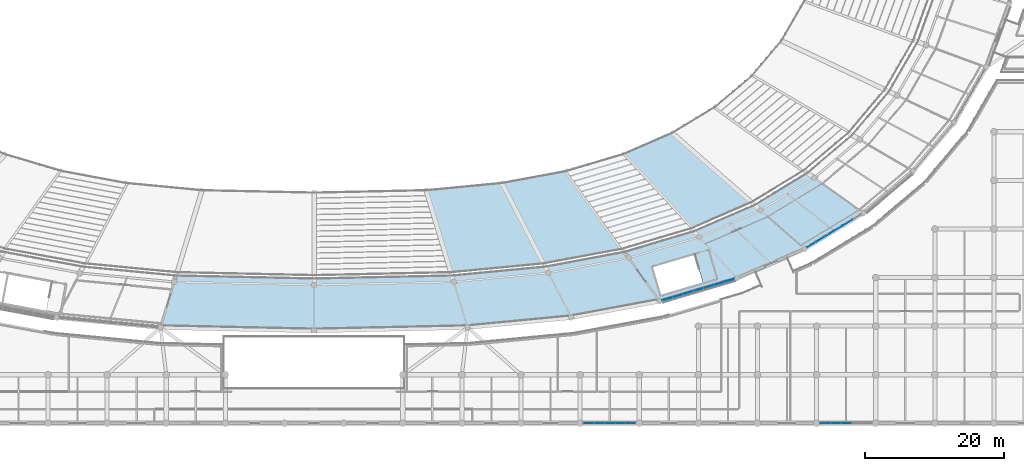
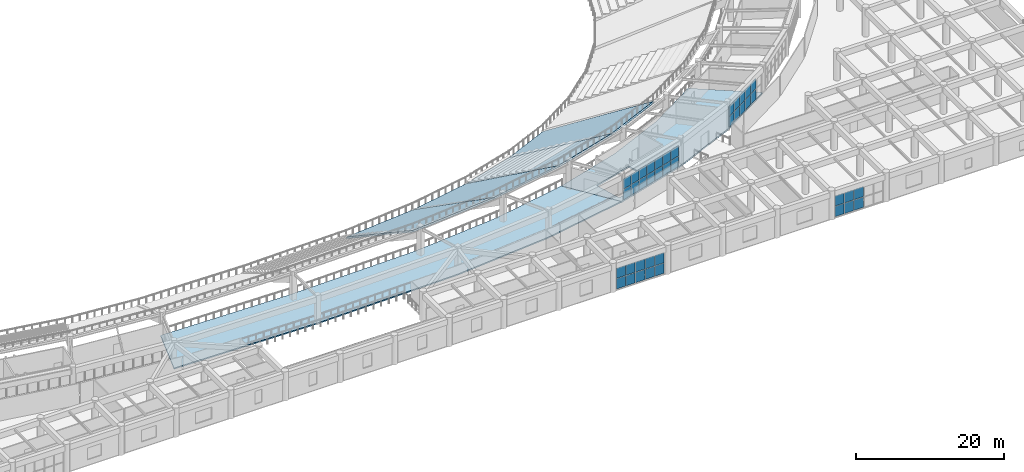
# One storey, part 80 of 137: 40 plates, 6 slabs, 4 elements without a shape of their own.
"""IFC4 building model written with IfcOpenShell, lengths in metres."""

import ifcopenshell
import ifcopenshell.guid

model = None  # the IFC model being written
_history = None  # IfcOwnerHistory: only IFC2X3 demands one
_inside = {}  # id of a spatial element -> (the spatial element, [elements in it])
_under = {}  # id of a project, library or spatial element -> (it, [spatial elements below it])
_declared = {}  # id of a project -> (the project, [libraries it declares])
_typed = {}  # id of a type object -> (the type object, [elements of that type])
_made_of = {}  # id of a material, layer set ... -> (it, [elements and type objects made of it])


def new_model(schema):
    """Start an empty IFC model of exactly this schema.

    Asked for "IFC4X3", IfcOpenShell would pick the latest addendum, in which some entities
    have other attributes; the version numbers below select the first issue.
    IFC2X3 requires an IfcOwnerHistory on every rooted entity: one is made here for all.
    """
    global model, _history
    if schema == "IFC4X3":
        model = ifcopenshell.file(schema_version=(4, 3, 0, 0))
    else:
        model = ifcopenshell.file(schema=schema)
    _inside.clear()
    _under.clear()
    _declared.clear()
    _typed.clear()
    _made_of.clear()
    _history = None
    if model.schema == "IFC2X3":
        org = make("IfcOrganization", Name="unknown")
        user = make(
            "IfcPersonAndOrganization",
            ThePerson=make("IfcPerson", FamilyName="unknown"),
            TheOrganization=org,
        )
        app = make(
            "IfcApplication",
            ApplicationDeveloper=org,
            Version="unknown",
            ApplicationFullName="unknown",
            ApplicationIdentifier="unknown",
        )
        _history = make(
            "IfcOwnerHistory",
            OwningUser=user,
            OwningApplication=app,
            ChangeAction="ADDED",
            CreationDate=0,
        )
    return model


def make(cls, **values):
    """One entity of the class cls with the attributes given. An attribute that is None is left unset."""
    return model.create_entity(
        cls, **{name: value for name, value in values.items() if value is not None}
    )


def rooted(cls, **values):
    """An entity with a GlobalId (a new one), such as an element, a storey or a relation."""
    return make(cls, GlobalId=ifcopenshell.guid.new(), OwnerHistory=_history, **values)


def si_unit(unit_type, name, prefix=None):
    """IfcSIUnit, for example si_unit("LENGTHUNIT", "METRE", prefix="MILLI")."""
    return make("IfcSIUnit", UnitType=unit_type, Prefix=prefix, Name=name)


def assignment(units):
    """IfcUnitAssignment: the units of a project."""
    return None if units is None else make("IfcUnitAssignment", Units=units)


def point(xyz):
    """IfcCartesianPoint."""
    return None if xyz is None else make("IfcCartesianPoint", Coordinates=xyz)


def direction(xyz):
    """IfcDirection."""
    return None if xyz is None else make("IfcDirection", DirectionRatios=xyz)


def frame(location, z_axis=None, x_axis=None):
    """IfcAxis2Placement3D, a coordinate frame: its origin and axes. An axis left out is left unset."""
    return make(
        "IfcAxis2Placement3D",
        Location=point(location),
        Axis=direction(z_axis),
        RefDirection=direction(x_axis),
    )


def frame_2d(location, x_axis=None):
    """IfcAxis2Placement2D, a coordinate frame in the plane: its origin and x axis."""
    return make(
        "IfcAxis2Placement2D", Location=point(location), RefDirection=direction(x_axis)
    )


def origin():
    """The frame at (0, 0, 0) with its axes left unset."""
    return frame((0.0, 0.0, 0.0))


def origin_2d():
    """The frame at (0, 0) in the plane with its x axis left unset."""
    return frame_2d((0.0, 0.0))


def place(relative_to, where):
    """IfcLocalPlacement: puts the frame where relative to a parent placement (None: the world)."""
    return make(
        "IfcLocalPlacement", PlacementRelTo=relative_to, RelativePlacement=where
    )


def context(
    kind, dimensions, precision=None, world=None, true_north=None, identifier=None
):
    """IfcGeometricRepresentationContext, for example the 3D "Model" context."""
    return make(
        "IfcGeometricRepresentationContext",
        ContextIdentifier=identifier,
        ContextType=kind,
        CoordinateSpaceDimension=dimensions,
        Precision=precision,
        WorldCoordinateSystem=world,
        TrueNorth=true_north,
    )


def subcontext(parent, identifier, kind, view, scale=None):
    """IfcGeometricRepresentationSubContext, for example "Body" below "Model"."""
    return make(
        "IfcGeometricRepresentationSubContext",
        ContextIdentifier=identifier,
        ContextType=kind,
        ParentContext=parent,
        TargetScale=scale,
        TargetView=view,
    )


def project(units=None, contexts=None):
    """IfcProject with its units and contexts."""
    return rooted(
        "IfcProject",
        Name="project",
        RepresentationContexts=contexts,
        UnitsInContext=assignment(units),
    )


def spatial(cls, under=None, at=None, **own):
    """A site, building, storey or space (cls), placed at a placement, below another one or the project."""
    s = rooted(cls, ObjectPlacement=at, **own)
    if under is not None:
        _under.setdefault(under.id(), (under, []))[1].append(s)
    return s


def polyline(points):
    """IfcPolyline through the points."""
    return make("IfcPolyline", Points=[point(p) for p in points])


def profile(cls, at=None, kind="AREA", **sizes):
    """A parametric profile (cls). Its sizes go by their IFC names, for example OverallWidth=200.0."""
    return make(cls, ProfileType=kind, Position=at, **sizes)


def rectangle(**sizes):
    """IfcRectangleProfileDef."""
    return profile("IfcRectangleProfileDef", **sizes)


def outline(outer, holes=None, kind="AREA"):
    """IfcArbitraryClosedProfileDef: a profile drawn as a closed curve; with holes, ...WithVoids."""
    if holes is None:
        return make("IfcArbitraryClosedProfileDef", ProfileType=kind, OuterCurve=outer)
    return make(
        "IfcArbitraryProfileDefWithVoids",
        ProfileType=kind,
        OuterCurve=outer,
        InnerCurves=holes,
    )


def extrude(swept, where, along, depth):
    """IfcExtrudedAreaSolid: the profile swept, set in the frame where, extruded along a direction by depth."""
    return make(
        "IfcExtrudedAreaSolid",
        SweptArea=swept,
        Position=where,
        ExtrudedDirection=direction(along),
        Depth=depth,
    )


def shape(context_of_items, identifier, shape_type, items):
    """IfcShapeRepresentation: the items that make up one representation, for example the "Body"."""
    return make(
        "IfcShapeRepresentation",
        ContextOfItems=context_of_items,
        RepresentationIdentifier=identifier,
        RepresentationType=shape_type,
        Items=items,
    )


def material(Name=None, Category=None):
    """IfcMaterial."""
    return make("IfcMaterial", Name=Name, Category=Category)


def layer(
    of_material, thickness, ventilated=None, Name=None, Category=None, Priority=None
):
    """IfcMaterialLayer: one layer of a wall or slab, of a material (None: an air gap)."""
    return make(
        "IfcMaterialLayer",
        Material=of_material,
        LayerThickness=thickness,
        IsVentilated=ventilated,
        Name=Name,
        Category=Category,
        Priority=Priority,
    )


def layer_set(layers, Name=None):
    """IfcMaterialLayerSet."""
    return make("IfcMaterialLayerSet", MaterialLayers=layers, LayerSetName=Name)


def made_of(thing, what):
    """Note that an element or type object is made of a material, layer set ...; save() writes the relation."""
    if what is not None:
        _made_of.setdefault(what.id(), (what, []))[1].append(thing)
    return thing


def type_object(cls, material=None, **own):
    """A type object (cls), such as IfcWallType, which elements share."""
    return made_of(rooted(cls, **own), material)


def element(
    cls,
    number,
    at=None,
    inside=None,
    cuts=None,
    type_object=None,
    material=None,
    context=None,
    identifier="Body",
    shape_type=None,
    held_by="IfcProductDefinitionShape",
    body=None,
    shapes=None,
    **own,
):
    """One element of the class cls, such as IfcWall. Its Tag is "e" and its number.

    at: its placement. inside: the storey or other place that contains it. cuts: it is an
    opening in that element (IfcRelVoidsElement). A single representation is given by context,
    identifier, shape_type and body (its items); several are given by shapes. held_by: the class
    of the entity that holds the representations. save() writes the other relations.
    """
    e = rooted(cls, Tag="e%d" % number, ObjectPlacement=at, **own)
    if body is not None:
        shapes = [shape(context, identifier, shape_type, body)]
    if shapes is not None:
        e.Representation = make(held_by, Representations=shapes)
    if inside is not None:
        _inside.setdefault(inside.id(), (inside, []))[1].append(e)
    if cuts is not None:
        rooted(
            "IfcRelVoidsElement", RelatingBuildingElement=cuts, RelatedOpeningElement=e
        )
    if type_object is not None:
        _typed.setdefault(type_object.id(), (type_object, []))[1].append(e)
    return made_of(e, material)


def aggregate(whole, parts):
    """IfcRelAggregates: a whole, such as a stair, and the parts it consists of."""
    return rooted("IfcRelAggregates", RelatingObject=whole, RelatedObjects=parts)


def save(model, path):
    """Write the relations noted so far, then the file.

    IfcRelAggregates (storeys below a building ...), IfcRelContainedInSpatialStructure (elements
    in a storey), IfcRelDefinesByType, IfcRelAssociatesMaterial and IfcRelDeclares: one each for
    every whole, place, type object, material and project.
    """
    for whole, parts in _under.values():
        aggregate(whole, parts)
    for where, things in _inside.values():
        rooted(
            "IfcRelContainedInSpatialStructure",
            RelatedElements=things,
            RelatingStructure=where,
        )
    for kind, things in _typed.values():
        rooted("IfcRelDefinesByType", RelatedObjects=things, RelatingType=kind)
    for what, things in _made_of.values():
        rooted("IfcRelAssociatesMaterial", RelatedObjects=things, RelatingMaterial=what)
    for by, libraries in _declared.values():
        rooted("IfcRelDeclares", RelatingContext=by, RelatedDefinitions=libraries)
    model.write(path)


model = new_model("IFC4")

# Units and contexts
model_context = context("Model", 3, precision=1e-05, world=origin(), true_north=direction((0.0, 1.0)))
body_context = subcontext(model_context, "Body", "Model", "MODEL_VIEW")
ifc_project = project(units=[si_unit("LENGTHUNIT", "METRE"), si_unit("AREAUNIT", "SQUARE_METRE"), si_unit("VOLUMEUNIT", "CUBIC_METRE"), si_unit("PLANEANGLEUNIT", "RADIAN"), si_unit("MASSUNIT", "GRAM", prefix="KILO")], contexts=[model_context])

# Site, building, storey
site_placement = place(None, origin())
site = spatial("IfcSite", under=ifc_project, at=site_placement, CompositionType="ELEMENT")
building_placement = place(site_placement, origin())
building = spatial("IfcBuilding", under=site, at=building_placement, Name="Mphavela Belvedere Stadium", CompositionType="ELEMENT")
storey_placement = place(building_placement, frame((0.0, 0.0, 19.199951171875)))
storey = spatial("IfcBuildingStorey", under=building, at=storey_placement, Name="L04", CompositionType="ELEMENT", Elevation=19.199951171875)

# Curtain wall, plates
ifc_material_1 = material(Name="Anodised bronze unitised curtain wall framing")
ifc_layer_1 = layer(ifc_material_1, 0.195068359375)
ifc_layer_set_1 = layer_set([ifc_layer_1], Name="Anodised bronze unitised curtain wall framing")
curtain_wall_type_1 = type_object("IfcCurtainWallType", Name="CW-UNIT-04", PredefinedType="USERDEFINED", material=ifc_layer_set_1)
curtain_wall_1_placement = place(storey_placement, origin())
curtain_wall_1 = element("IfcCurtainWall", 1, at=curtain_wall_1_placement, inside=storey, type_object=curtain_wall_type_1, Name="Belvedere colonnade curtain wall L04-40", ObjectType="UNITISED CURTAIN WALL", PredefinedType="USERDEFINED")
ifc_material_2 = material(Name="Solar-control double glazing", Category="glass")
ifc_layer_2 = layer(ifc_material_2, 0.031982421875)
ifc_layer_set_2 = layer_set([ifc_layer_2], Name="Solar-control double glazing")
plate_type = type_object("IfcPlateType", Name="CWP-SOLAR-GLASS", PredefinedType="CURTAIN_PANEL", material=ifc_layer_set_2)
plate_1_placement = place(storey_placement, frame((165.898193359375, 17.9287109375, 0.06005859375), z_axis=(0.0, 0.0, 1.0), x_axis=(0.958657951671, 0.284560945489, 0.0)))
plate_1 = element("IfcPlate", 2, at=plate_1_placement, type_object=plate_type, Name="CW-04 panel 1.1", PredefinedType="CURTAIN_PANEL", context=body_context, shape_type="SweptSolid", body=[
    extrude(rectangle(XDim=1.462646484375, YDim=0.031982421875, at=origin_2d()), origin(), (0.0, 0.0, 1.0), 1.695068359375),
])
plate_2_placement = place(storey_placement, frame((165.898193359375, 17.9287109375, 1.81494140625), z_axis=(0.0, 0.0, 1.0), x_axis=(0.958657951671, 0.284560945489, 0.0)))
plate_2 = element("IfcPlate", 3, at=plate_2_placement, type_object=plate_type, Name="CW-04 panel 1.2", PredefinedType="CURTAIN_PANEL", context=body_context, shape_type="SweptSolid", body=[
    extrude(rectangle(XDim=1.462646484375, YDim=0.031982421875, at=origin_2d()), origin(), (0.0, 0.0, 1.0), 1.695068359375),
])
plate_3_placement = place(storey_placement, frame((167.378173828125, 18.367919921875, 0.06005859375), z_axis=(0.0, 0.0, 1.0), x_axis=(0.958657951671, 0.284560945489, 0.0)))
plate_3 = element("IfcPlate", 4, at=plate_3_placement, type_object=plate_type, Name="CW-04 panel 2.1", PredefinedType="CURTAIN_PANEL", context=body_context, shape_type="SweptSolid", body=[
    extrude(rectangle(XDim=1.4951171875, YDim=0.031982421875, at=origin_2d()), origin(), (0.0, 0.0, 1.0), 1.695068359375),
])
plate_4_placement = place(storey_placement, frame((167.378173828125, 18.367919921875, 1.81494140625), z_axis=(0.0, 0.0, 1.0), x_axis=(0.958657951671, 0.284560945489, 0.0)))
plate_4 = element("IfcPlate", 5, at=plate_4_placement, type_object=plate_type, Name="CW-04 panel 2.2", PredefinedType="CURTAIN_PANEL", context=body_context, shape_type="SweptSolid", body=[
    extrude(rectangle(XDim=1.4951171875, YDim=0.031982421875, at=origin_2d()), origin(), (0.0, 0.0, 1.0), 1.695068359375),
])
plate_5_placement = place(storey_placement, frame((168.873779296875, 18.81201171875, 0.06005859375), z_axis=(0.0, 0.0, 1.0), x_axis=(0.958657951671, 0.284560945489, 0.0)))
plate_5 = element("IfcPlate", 6, at=plate_5_placement, type_object=plate_type, Name="CW-04 panel 3.1", PredefinedType="CURTAIN_PANEL", context=body_context, shape_type="SweptSolid", body=[
    extrude(rectangle(XDim=1.4951171875, YDim=0.031982421875, at=origin_2d()), origin(), (0.0, 0.0, 1.0), 1.695068359375),
])
plate_6_placement = place(storey_placement, frame((168.873779296875, 18.81201171875, 1.81494140625), z_axis=(0.0, 0.0, 1.0), x_axis=(0.958657951671, 0.284560945489, 0.0)))
plate_6 = element("IfcPlate", 7, at=plate_6_placement, type_object=plate_type, Name="CW-04 panel 3.2", PredefinedType="CURTAIN_PANEL", context=body_context, shape_type="SweptSolid", body=[
    extrude(rectangle(XDim=1.4951171875, YDim=0.031982421875, at=origin_2d()), origin(), (0.0, 0.0, 1.0), 1.695068359375),
])
plate_7_placement = place(storey_placement, frame((170.369384765625, 19.255859375, 0.06005859375), z_axis=(0.0, 0.0, 1.0), x_axis=(0.958657951671, 0.284560945489, 0.0)))
plate_7 = element("IfcPlate", 8, at=plate_7_placement, type_object=plate_type, Name="CW-04 panel 4.1", PredefinedType="CURTAIN_PANEL", context=body_context, shape_type="SweptSolid", body=[
    extrude(rectangle(XDim=1.4951171875, YDim=0.031982421875, at=origin_2d()), origin(), (0.0, 0.0, 1.0), 1.695068359375),
])
plate_8_placement = place(storey_placement, frame((170.369384765625, 19.255859375, 1.81494140625), z_axis=(0.0, 0.0, 1.0), x_axis=(0.958657951671, 0.284560945489, 0.0)))
plate_8 = element("IfcPlate", 9, at=plate_8_placement, type_object=plate_type, Name="CW-04 panel 4.2", PredefinedType="CURTAIN_PANEL", context=body_context, shape_type="SweptSolid", body=[
    extrude(rectangle(XDim=1.4951171875, YDim=0.031982421875, at=origin_2d()), origin(), (0.0, 0.0, 1.0), 1.695068359375),
])
plate_9_placement = place(storey_placement, frame((171.864990234375, 19.699951171875, 0.06005859375), z_axis=(0.0, 0.0, 1.0), x_axis=(0.958657951671, 0.284560945489, 0.0)))
plate_9 = element("IfcPlate", 10, at=plate_9_placement, type_object=plate_type, Name="CW-04 panel 5.1", PredefinedType="CURTAIN_PANEL", context=body_context, shape_type="SweptSolid", body=[
    extrude(rectangle(XDim=1.4951171875, YDim=0.031982421875, at=origin_2d()), origin(), (0.0, 0.0, 1.0), 1.695068359375),
])
plate_10_placement = place(storey_placement, frame((171.864990234375, 19.699951171875, 1.81494140625), z_axis=(0.0, 0.0, 1.0), x_axis=(0.958657951671, 0.284560945489, 0.0)))
plate_10 = element("IfcPlate", 11, at=plate_10_placement, type_object=plate_type, Name="CW-04 panel 5.2", PredefinedType="CURTAIN_PANEL", context=body_context, shape_type="SweptSolid", body=[
    extrude(rectangle(XDim=1.4951171875, YDim=0.031982421875, at=origin_2d()), origin(), (0.0, 0.0, 1.0), 1.695068359375),
])
plate_11_placement = place(storey_placement, frame((173.360595703125, 20.143798828125, 0.06005859375), z_axis=(0.0, 0.0, 1.0), x_axis=(0.958657951671, 0.284560945489, 0.0)))
plate_11 = element("IfcPlate", 12, at=plate_11_placement, type_object=plate_type, Name="CW-04 panel 6.1", PredefinedType="CURTAIN_PANEL", context=body_context, shape_type="SweptSolid", body=[
    extrude(rectangle(XDim=1.4951171875, YDim=0.031982421875, at=origin_2d()), origin(), (0.0, 0.0, 1.0), 1.695068359375),
])
plate_12_placement = place(storey_placement, frame((173.360595703125, 20.143798828125, 1.81494140625), z_axis=(0.0, 0.0, 1.0), x_axis=(0.958657951671, 0.284560945489, 0.0)))
plate_12 = element("IfcPlate", 13, at=plate_12_placement, type_object=plate_type, Name="CW-04 panel 6.2", PredefinedType="CURTAIN_PANEL", context=body_context, shape_type="SweptSolid", body=[
    extrude(rectangle(XDim=1.4951171875, YDim=0.031982421875, at=origin_2d()), origin(), (0.0, 0.0, 1.0), 1.695068359375),
])
plate_13_placement = place(storey_placement, frame((174.840576171875, 20.5830078125, 0.06005859375), z_axis=(0.0, 0.0, 1.0), x_axis=(0.958657951671, 0.284560945489, 0.0)))
plate_13 = element("IfcPlate", 14, at=plate_13_placement, type_object=plate_type, Name="CW-04 panel 7.1", PredefinedType="CURTAIN_PANEL", context=body_context, shape_type="SweptSolid", body=[
    extrude(rectangle(XDim=1.462646484375, YDim=0.031982421875, at=origin_2d()), origin(), (0.0, 0.0, 1.0), 1.695068359375),
])
plate_14_placement = place(storey_placement, frame((174.840576171875, 20.5830078125, 1.81494140625), z_axis=(0.0, 0.0, 1.0), x_axis=(0.958657951671, 0.284560945489, 0.0)))
plate_14 = element("IfcPlate", 15, at=plate_14_placement, type_object=plate_type, Name="CW-04 panel 7.2", PredefinedType="CURTAIN_PANEL", context=body_context, shape_type="SweptSolid", body=[
    extrude(rectangle(XDim=1.462646484375, YDim=0.031982421875, at=origin_2d()), origin(), (0.0, 0.0, 1.0), 1.695068359375),
])
aggregate(curtain_wall_1, [plate_1, plate_2, plate_3, plate_4, plate_5, plate_6, plate_7, plate_8, plate_9, plate_10, plate_11, plate_12, plate_13, plate_14])

ifc_material_3 = material(Name="Anodised bronze unitised curtain wall framing")
ifc_layer_3 = layer(ifc_material_3, 0.199951171875)
ifc_layer_set_3 = layer_set([ifc_layer_3], Name="Anodised bronze unitised curtain wall framing")
curtain_wall_type_2 = type_object("IfcCurtainWallType", Name="CW-UNIT-05", PredefinedType="USERDEFINED", material=ifc_layer_set_3)
curtain_wall_2_placement = place(storey_placement, origin())
curtain_wall_2 = element("IfcCurtainWall", 16, at=curtain_wall_2_placement, inside=storey, type_object=curtain_wall_type_2, Name="Belvedere colonnade curtain wall L04-42", ObjectType="UNITISED CURTAIN WALL", PredefinedType="USERDEFINED")
plate_15_placement = place(storey_placement, frame((186.662841796875, 25.72705078125, 0.06005859375), z_axis=(0.0, 0.0, 1.0), x_axis=(0.854327323226, 0.519735341101, 0.0)))
plate_15 = element("IfcPlate", 17, at=plate_15_placement, type_object=plate_type, Name="CW-05 panel 1.1", PredefinedType="CURTAIN_PANEL", context=body_context, shape_type="SweptSolid", body=[
    extrude(rectangle(XDim=1.436767578125, YDim=0.031982421875, at=origin_2d()), origin(), (0.0, 0.0, 1.0), 1.695068359375),
])
plate_16_placement = place(storey_placement, frame((186.662841796875, 25.72705078125, 1.81494140625), z_axis=(0.0, 0.0, 1.0), x_axis=(0.854327323226, 0.519735341101, 0.0)))
plate_16 = element("IfcPlate", 18, at=plate_16_placement, type_object=plate_type, Name="CW-05 panel 1.2", PredefinedType="CURTAIN_PANEL", context=body_context, shape_type="SweptSolid", body=[
    extrude(rectangle(XDim=1.436767578125, YDim=0.031982421875, at=origin_2d()), origin(), (0.0, 0.0, 1.0), 1.695068359375),
])
plate_17_placement = place(storey_placement, frame((187.959716796875, 26.51611328125, 0.06005859375), z_axis=(0.0, 0.0, 1.0), x_axis=(0.854327323226, 0.519735341101, 0.0)))
plate_17 = element("IfcPlate", 19, at=plate_17_placement, type_object=plate_type, Name="CW-05 panel 2.1", PredefinedType="CURTAIN_PANEL", context=body_context, shape_type="SweptSolid", body=[
    extrude(rectangle(XDim=1.46923828125, YDim=0.031982421875, at=origin_2d()), origin(), (0.0, 0.0, 1.0), 1.695068359375),
])
plate_18_placement = place(storey_placement, frame((187.959716796875, 26.51611328125, 1.81494140625), z_axis=(0.0, 0.0, 1.0), x_axis=(0.854327323226, 0.519735341101, 0.0)))
plate_18 = element("IfcPlate", 20, at=plate_18_placement, type_object=plate_type, Name="CW-05 panel 2.2", PredefinedType="CURTAIN_PANEL", context=body_context, shape_type="SweptSolid", body=[
    extrude(rectangle(XDim=1.46923828125, YDim=0.031982421875, at=origin_2d()), origin(), (0.0, 0.0, 1.0), 1.695068359375),
])
plate_19_placement = place(storey_placement, frame((189.2705078125, 27.3134765625, 0.06005859375), z_axis=(0.0, 0.0, 1.0), x_axis=(0.854327323226, 0.519735341101, 0.0)))
plate_19 = element("IfcPlate", 21, at=plate_19_placement, type_object=plate_type, Name="CW-05 panel 3.1", PredefinedType="CURTAIN_PANEL", context=body_context, shape_type="SweptSolid", body=[
    extrude(rectangle(XDim=1.46923828125, YDim=0.031982421875, at=origin_2d()), origin(), (0.0, 0.0, 1.0), 1.695068359375),
])
plate_20_placement = place(storey_placement, frame((189.2705078125, 27.3134765625, 1.81494140625), z_axis=(0.0, 0.0, 1.0), x_axis=(0.854327323226, 0.519735341101, 0.0)))
plate_20 = element("IfcPlate", 22, at=plate_20_placement, type_object=plate_type, Name="CW-05 panel 3.2", PredefinedType="CURTAIN_PANEL", context=body_context, shape_type="SweptSolid", body=[
    extrude(rectangle(XDim=1.46923828125, YDim=0.031982421875, at=origin_2d()), origin(), (0.0, 0.0, 1.0), 1.695068359375),
])
plate_21_placement = place(storey_placement, frame((190.581298828125, 28.111083984375, 0.06005859375), z_axis=(0.0, 0.0, 1.0), x_axis=(0.854327323226, 0.519735341101, 0.0)))
plate_21 = element("IfcPlate", 23, at=plate_21_placement, type_object=plate_type, Name="CW-05 panel 4.1", PredefinedType="CURTAIN_PANEL", context=body_context, shape_type="SweptSolid", body=[
    extrude(rectangle(XDim=1.46923828125, YDim=0.031982421875, at=origin_2d()), origin(), (0.0, 0.0, 1.0), 1.695068359375),
])
plate_22_placement = place(storey_placement, frame((190.581298828125, 28.111083984375, 1.81494140625), z_axis=(0.0, 0.0, 1.0), x_axis=(0.854327323226, 0.519735341101, 0.0)))
plate_22 = element("IfcPlate", 24, at=plate_22_placement, type_object=plate_type, Name="CW-05 panel 4.2", PredefinedType="CURTAIN_PANEL", context=body_context, shape_type="SweptSolid", body=[
    extrude(rectangle(XDim=1.46923828125, YDim=0.031982421875, at=origin_2d()), origin(), (0.0, 0.0, 1.0), 1.695068359375),
])
plate_23_placement = place(storey_placement, frame((191.89208984375, 28.908447265625, 0.06005859375), z_axis=(0.0, 0.0, 1.0), x_axis=(0.854327323226, 0.519735341101, 0.0)))
plate_23 = element("IfcPlate", 25, at=plate_23_placement, type_object=plate_type, Name="CW-05 panel 5.1", PredefinedType="CURTAIN_PANEL", context=body_context, shape_type="SweptSolid", body=[
    extrude(rectangle(XDim=1.46923828125, YDim=0.031982421875, at=origin_2d()), origin(), (0.0, 0.0, 1.0), 1.695068359375),
])
plate_24_placement = place(storey_placement, frame((191.89208984375, 28.908447265625, 1.81494140625), z_axis=(0.0, 0.0, 1.0), x_axis=(0.854327323226, 0.519735341101, 0.0)))
plate_24 = element("IfcPlate", 26, at=plate_24_placement, type_object=plate_type, Name="CW-05 panel 5.2", PredefinedType="CURTAIN_PANEL", context=body_context, shape_type="SweptSolid", body=[
    extrude(rectangle(XDim=1.46923828125, YDim=0.031982421875, at=origin_2d()), origin(), (0.0, 0.0, 1.0), 1.695068359375),
])
aggregate(curtain_wall_2, [plate_15, plate_16, plate_17, plate_18, plate_19, plate_20, plate_21, plate_22, plate_23, plate_24])

curtain_wall_3_placement = place(storey_placement, origin())
curtain_wall_3 = element("IfcCurtainWall", 27, at=curtain_wall_3_placement, inside=storey, type_object=curtain_wall_type_2, Name="South Axial Triumphal Peristyle Portico gallery curtain wall L04-19", ObjectType="UNITISED CURTAIN WALL", PredefinedType="USERDEFINED")
plate_25_placement = place(storey_placement, frame((160.60546875, 0.0, 0.06005859375), z_axis=(0.0, 0.0, 1.0), x_axis=(-1.0, 0.0, 0.0)))
plate_25 = element("IfcPlate", 28, at=plate_25_placement, type_object=plate_type, Name="CW-05 panel 1.1", PredefinedType="CURTAIN_PANEL", context=body_context, shape_type="SweptSolid", body=[
    extrude(rectangle(XDim=1.4169921875, YDim=0.031982421875, at=origin_2d()), origin(), (0.0, 0.0, 1.0), 1.68994140625),
])
plate_26_placement = place(storey_placement, frame((160.60546875, 0.0, 1.81005859375), z_axis=(0.0, 0.0, 1.0), x_axis=(-1.0, 0.0, 0.0)))
plate_26 = element("IfcPlate", 29, at=plate_26_placement, type_object=plate_type, Name="CW-05 panel 1.2", PredefinedType="CURTAIN_PANEL", context=body_context, shape_type="SweptSolid", body=[
    extrude(rectangle(XDim=1.4169921875, YDim=0.031982421875, at=origin_2d()), origin(), (0.0, 0.0, 1.0), 1.68994140625),
])
plate_27_placement = place(storey_placement, frame((159.107177734375, 0.0, 0.06005859375), z_axis=(0.0, 0.0, 1.0), x_axis=(-1.0, 0.0, 0.0)))
plate_27 = element("IfcPlate", 30, at=plate_27_placement, type_object=plate_type, Name="CW-05 panel 2.1", PredefinedType="CURTAIN_PANEL", context=body_context, shape_type="SweptSolid", body=[
    extrude(rectangle(XDim=1.44970703125, YDim=0.031982421875, at=origin_2d()), origin(), (0.0, 0.0, 1.0), 1.68994140625),
])
plate_28_placement = place(storey_placement, frame((159.107177734375, 0.0, 1.81005859375), z_axis=(0.0, 0.0, 1.0), x_axis=(-1.0, 0.0, 0.0)))
plate_28 = element("IfcPlate", 31, at=plate_28_placement, type_object=plate_type, Name="CW-05 panel 2.2", PredefinedType="CURTAIN_PANEL", context=body_context, shape_type="SweptSolid", body=[
    extrude(rectangle(XDim=1.44970703125, YDim=0.031982421875, at=origin_2d()), origin(), (0.0, 0.0, 1.0), 1.68994140625),
])
plate_29_placement = place(storey_placement, frame((157.592529296875, 0.0, 0.06005859375), z_axis=(0.0, 0.0, 1.0), x_axis=(-1.0, 0.0, 0.0)))
plate_29 = element("IfcPlate", 32, at=plate_29_placement, type_object=plate_type, Name="CW-05 panel 3.1", PredefinedType="CURTAIN_PANEL", context=body_context, shape_type="SweptSolid", body=[
    extrude(rectangle(XDim=1.44970703125, YDim=0.031982421875, at=origin_2d()), origin(), (0.0, 0.0, 1.0), 1.68994140625),
])
plate_30_placement = place(storey_placement, frame((157.592529296875, 0.0, 1.81005859375), z_axis=(0.0, 0.0, 1.0), x_axis=(-1.0, 0.0, 0.0)))
plate_30 = element("IfcPlate", 33, at=plate_30_placement, type_object=plate_type, Name="CW-05 panel 3.2", PredefinedType="CURTAIN_PANEL", context=body_context, shape_type="SweptSolid", body=[
    extrude(rectangle(XDim=1.44970703125, YDim=0.031982421875, at=origin_2d()), origin(), (0.0, 0.0, 1.0), 1.68994140625),
])
plate_31_placement = place(storey_placement, frame((156.077880859375, 0.0, 0.06005859375), z_axis=(0.0, 0.0, 1.0), x_axis=(-1.0, 0.0, 0.0)))
plate_31 = element("IfcPlate", 34, at=plate_31_placement, type_object=plate_type, Name="CW-05 panel 4.1", PredefinedType="CURTAIN_PANEL", context=body_context, shape_type="SweptSolid", body=[
    extrude(rectangle(XDim=1.44970703125, YDim=0.031982421875, at=origin_2d()), origin(), (0.0, 0.0, 1.0), 1.68994140625),
])
plate_32_placement = place(storey_placement, frame((156.077880859375, 0.0, 1.81005859375), z_axis=(0.0, 0.0, 1.0), x_axis=(-1.0, 0.0, 0.0)))
plate_32 = element("IfcPlate", 35, at=plate_32_placement, type_object=plate_type, Name="CW-05 panel 4.2", PredefinedType="CURTAIN_PANEL", context=body_context, shape_type="SweptSolid", body=[
    extrude(rectangle(XDim=1.44970703125, YDim=0.031982421875, at=origin_2d()), origin(), (0.0, 0.0, 1.0), 1.68994140625),
])
plate_33_placement = place(storey_placement, frame((154.57958984375, 0.0, 0.06005859375), z_axis=(0.0, 0.0, 1.0), x_axis=(-1.0, 0.0, 0.0)))
plate_33 = element("IfcPlate", 36, at=plate_33_placement, type_object=plate_type, Name="CW-05 panel 5.1", PredefinedType="CURTAIN_PANEL", context=body_context, shape_type="SweptSolid", body=[
    extrude(rectangle(XDim=1.4169921875, YDim=0.031982421875, at=origin_2d()), origin(), (0.0, 0.0, 1.0), 1.68994140625),
])
plate_34_placement = place(storey_placement, frame((154.57958984375, 0.0, 1.81005859375), z_axis=(0.0, 0.0, 1.0), x_axis=(-1.0, 0.0, 0.0)))
plate_34 = element("IfcPlate", 37, at=plate_34_placement, type_object=plate_type, Name="CW-05 panel 5.2", PredefinedType="CURTAIN_PANEL", context=body_context, shape_type="SweptSolid", body=[
    extrude(rectangle(XDim=1.4169921875, YDim=0.031982421875, at=origin_2d()), origin(), (0.0, 0.0, 1.0), 1.68994140625),
])
aggregate(curtain_wall_3, [plate_25, plate_26, plate_27, plate_28, plate_29, plate_30, plate_31, plate_32, plate_33, plate_34])

ifc_material_4 = material(Name="Anodised bronze unitised curtain wall framing")
ifc_layer_4 = layer(ifc_material_4, 0.205078125)
ifc_layer_set_4 = layer_set([ifc_layer_4], Name="Anodised bronze unitised curtain wall framing")
curtain_wall_type_3 = type_object("IfcCurtainWallType", Name="CW-UNIT-06", PredefinedType="USERDEFINED", material=ifc_layer_set_4)
curtain_wall_4_placement = place(storey_placement, origin())
curtain_wall_4 = element("IfcCurtainWall", 38, at=curtain_wall_4_placement, inside=storey, type_object=curtain_wall_type_3, Name="South Axial Triumphal Peristyle Portico gallery curtain wall L04-23", ObjectType="UNITISED CURTAIN WALL", PredefinedType="USERDEFINED")
plate_35_placement = place(storey_placement, frame((191.66650390625, 0.0, 0.06005859375), z_axis=(0.0, 0.0, 1.0), x_axis=(-1.0, 0.0, 0.0)))
plate_35 = element("IfcPlate", 39, at=plate_35_placement, type_object=plate_type, Name="CW-06 panel 3.1", PredefinedType="CURTAIN_PANEL", context=body_context, shape_type="SweptSolid", body=[
    extrude(rectangle(XDim=1.44970703125, YDim=0.031982421875, at=origin_2d()), origin(), (0.0, 0.0, 1.0), 1.68994140625),
])
plate_36_placement = place(storey_placement, frame((191.66650390625, 0.0, 1.81005859375), z_axis=(0.0, 0.0, 1.0), x_axis=(-1.0, 0.0, 0.0)))
plate_36 = element("IfcPlate", 40, at=plate_36_placement, type_object=plate_type, Name="CW-06 panel 3.2", PredefinedType="CURTAIN_PANEL", context=body_context, shape_type="SweptSolid", body=[
    extrude(rectangle(XDim=1.44970703125, YDim=0.031982421875, at=origin_2d()), origin(), (0.0, 0.0, 1.0), 1.68994140625),
])
plate_37_placement = place(storey_placement, frame((190.15185546875, 0.0, 0.06005859375), z_axis=(0.0, 0.0, 1.0), x_axis=(-1.0, 0.0, 0.0)))
plate_37 = element("IfcPlate", 41, at=plate_37_placement, type_object=plate_type, Name="CW-06 panel 4.1", PredefinedType="CURTAIN_PANEL", context=body_context, shape_type="SweptSolid", body=[
    extrude(rectangle(XDim=1.44970703125, YDim=0.031982421875, at=origin_2d()), origin(), (0.0, 0.0, 1.0), 1.68994140625),
])
plate_38_placement = place(storey_placement, frame((190.15185546875, 0.0, 1.81005859375), z_axis=(0.0, 0.0, 1.0), x_axis=(-1.0, 0.0, 0.0)))
plate_38 = element("IfcPlate", 42, at=plate_38_placement, type_object=plate_type, Name="CW-06 panel 4.2", PredefinedType="CURTAIN_PANEL", context=body_context, shape_type="SweptSolid", body=[
    extrude(rectangle(XDim=1.44970703125, YDim=0.031982421875, at=origin_2d()), origin(), (0.0, 0.0, 1.0), 1.68994140625),
])
plate_39_placement = place(storey_placement, frame((188.653564453125, 0.0, 0.06005859375), z_axis=(0.0, 0.0, 1.0), x_axis=(-1.0, 0.0, 0.0)))
plate_39 = element("IfcPlate", 43, at=plate_39_placement, type_object=plate_type, Name="CW-06 panel 5.1", PredefinedType="CURTAIN_PANEL", context=body_context, shape_type="SweptSolid", body=[
    extrude(rectangle(XDim=1.4169921875, YDim=0.031982421875, at=origin_2d()), origin(), (0.0, 0.0, 1.0), 1.68994140625),
])
plate_40_placement = place(storey_placement, frame((188.653564453125, 0.0, 1.81005859375), z_axis=(0.0, 0.0, 1.0), x_axis=(-1.0, 0.0, 0.0)))
plate_40 = element("IfcPlate", 44, at=plate_40_placement, type_object=plate_type, Name="CW-06 panel 5.2", PredefinedType="CURTAIN_PANEL", context=body_context, shape_type="SweptSolid", body=[
    extrude(rectangle(XDim=1.4169921875, YDim=0.031982421875, at=origin_2d()), origin(), (0.0, 0.0, 1.0), 1.68994140625),
])
aggregate(curtain_wall_4, [plate_35, plate_36, plate_37, plate_38, plate_39, plate_40])

# Slabs
ifc_material_5 = material(Name="Concrete C40/50", Category="concrete")
ifc_layer_5 = layer(ifc_material_5, 0.25)
ifc_layer_set_5 = layer_set([ifc_layer_5], Name="Concrete C40/50")
slab_type_1 = type_object("IfcSlabType", Name="SLB-CONCOURSE-250", PredefinedType="FLOOR", material=ifc_layer_set_5)
slab_1_placement = place(storey_placement, frame((0.0, 0.0, -0.25)))
element("IfcSlab", 45, at=slab_1_placement, inside=storey, type_object=slab_type_1, Name="Concourse sector slab L04-S7", PredefinedType="FLOOR", context=body_context, shape_type="SweptSolid", body=[
    extrude(outline(polyline([(185.94140625, 36.1708984375), (194.155517578125, 30.285400390625), (185.6962890625, 25.13916015625), (175.9375, 20.90869140625), (164.80126953125, 17.60302734375), (159.633056640625, 24.8046875), (169.614013671875, 27.767333984375), (178.35986328125, 31.55859375), (185.94140625, 36.1708984375)]), holes=[polyline([(163.7998046875, 22.5087890625), (164.991943359375, 18.491943359375), (171.02783203125, 20.283203125), (169.835693359375, 24.300048828125), (163.7998046875, 22.5087890625)])]), origin(), (0.0, 0.0, 1.0), 0.25),
])
ifc_material_6 = material(Name="Concrete C40/50", Category="concrete")
ifc_layer_6 = layer(ifc_material_6, 0.199951171875)
ifc_layer_set_6 = layer_set([ifc_layer_6], Name="Concrete C40/50")
slab_type_2 = type_object("IfcSlabType", Name="SLB-TERRACE-200", PredefinedType="FLOOR", material=ifc_layer_set_6)
slab_2_placement = place(storey_placement, frame((0.0, 0.0, -0.199951171875)))
element("IfcSlab", 46, at=slab_2_placement, inside=storey, type_object=slab_type_2, Name="South Baixa Belvedere Roof Terrace", PredefinedType="FLOOR", context=body_context, shape_type="SweptSolid", body=[
    extrude(outline(polyline([(148.2255859375, 22.68017578125), (159.633056640625, 24.8046875), (164.80126953125, 17.60302734375), (152.07275390625, 15.232666015625), (137.114501953125, 13.80615234375), (115.0, 13.330078125), (92.885498046875, 13.80615234375), (95.180419921875, 21.40185546875), (115.0, 20.97509765625), (134.819580078125, 21.40185546875), (148.2255859375, 22.68017578125)])), origin(), (0.0, 0.0, 1.0), 0.199951171875),
])
ifc_material_7 = material(Name="Precast concrete C45/55", Category="concrete")
ifc_layer_7 = layer(ifc_material_7, 0.25)
ifc_layer_set_7 = layer_set([ifc_layer_7], Name="Precast concrete C45/55")
slab_type_3 = type_object("IfcSlabType", Name="SLB-TIER-UPPER", PredefinedType="USERDEFINED", material=ifc_layer_set_7)
slab_3_placement = place(storey_placement, frame((131.14794921875, 33.5546875, -3.75), z_axis=(-0.04755214528, 0.498710276017, 0.865463375351), x_axis=(0.995484581752, 0.094923376943, -2.121477e-06)))
element("IfcSlab", 47, at=slab_3_placement, inside=storey, type_object=slab_type_3, Name="Upper seating tier slab L04-38", ObjectType="SEATING TIER", PredefinedType="USERDEFINED", context=body_context, shape_type="SweptSolid", body=[
    extrude(outline(polyline([(0.0, 0.0), (10.971907310655197, -1.1102230246251565e-16), (15.826368518228437, -13.972898226370866), (2.430440839625605, -13.972795035418736), (0.0, 0.0)])), origin(), (0.0, 0.0, -1.0), 0.25),
])
slab_4_placement = place(storey_placement, frame((142.0703125, 34.59619140625, -3.75), z_axis=(-0.089590628161, 0.48101980308, 0.872120099752), x_axis=(0.983094579971, 0.183098462105, 2.379002e-06)))
element("IfcSlab", 48, at=slab_4_placement, inside=storey, type_object=slab_type_3, Name="Upper seating tier slab L04-39", ObjectType="SEATING TIER", PredefinedType="USERDEFINED", context=body_context, shape_type="SweptSolid", body=[
    extrude(outline(polyline([(0.0, 0.0), (9.453762833660969, 0.0), (15.302098178887304, -14.306315026292836), (3.7595355888157127, -14.30641711319916), (0.0, 0.0)])), origin(), (0.0, 0.0, -1.0), 0.25),
])
slab_5_placement = place(storey_placement, frame((151.3642578125, 36.3271484375, -3.75), z_axis=(-0.134764194667, 0.453999078791, 0.880751638257), x_axis=(0.958655220864, 0.28457014514, -2.48077e-06)))
element("IfcSlab", 49, at=slab_5_placement, inside=storey, type_object=slab_type_3, Name="Upper seating tier slab L04-40", ObjectType="SEATING TIER", PredefinedType="USERDEFINED", context=body_context, shape_type="SweptSolid", body=[
    extrude(outline(polyline([(0.0, 0.0), (8.482293570873965, 4.440892098500626e-16), (14.872351477672769, -14.78115577655728), (4.515974662824134, -14.781057093001863), (0.0, 0.0)])), origin(), (0.0, 0.0, -1.0), 0.25),
])
slab_6_placement = place(storey_placement, frame((159.495849609375, 38.740966796875, -3.75), z_axis=(-0.181043516058, 0.417651973305, 0.890387597896), x_axis=(0.917506392858, 0.397721031711, -4.38405e-07)))
element("IfcSlab", 50, at=slab_6_placement, inside=storey, type_object=slab_type_3, Name="Upper seating tier slab L04-41", ObjectType="SEATING TIER", PredefinedType="USERDEFINED", context=body_context, shape_type="SweptSolid", body=[
    extrude(outline(polyline([(0.0, 0.0), (7.766412495493663, -4.440892098500626e-16), (14.261318787917725, -15.377762549643226), (4.779156413327874, -15.377745937574787), (0.0, 0.0)])), origin(), (0.0, 0.0, -1.0), 0.25),
])

save(model, "model.ifc")
